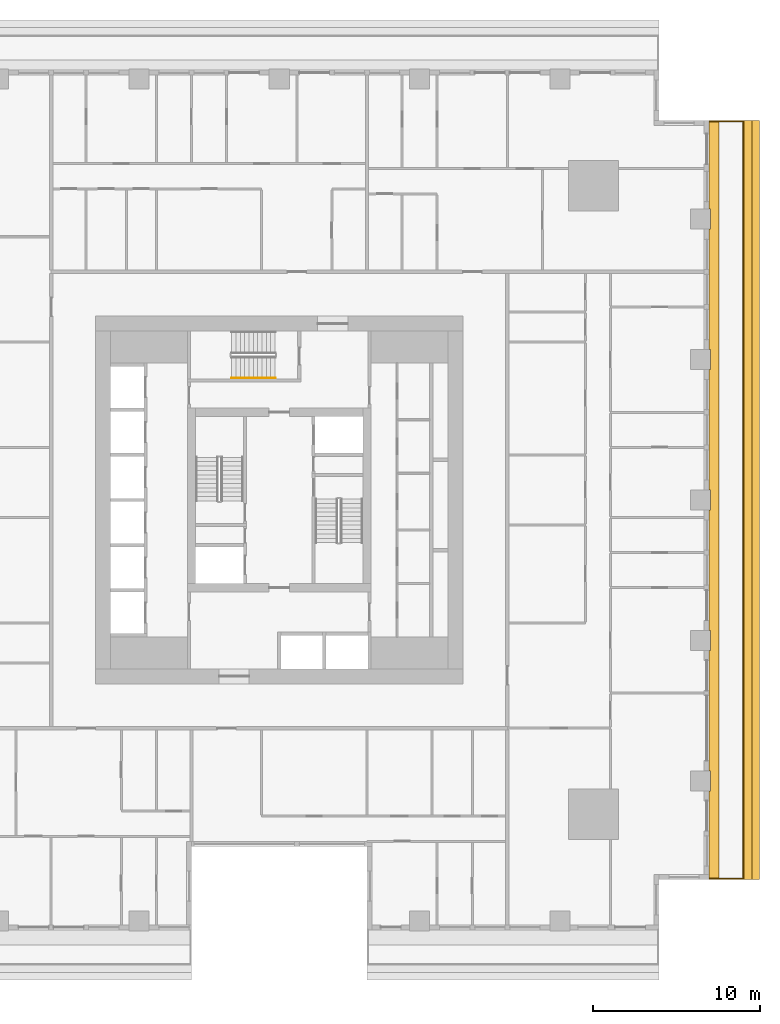
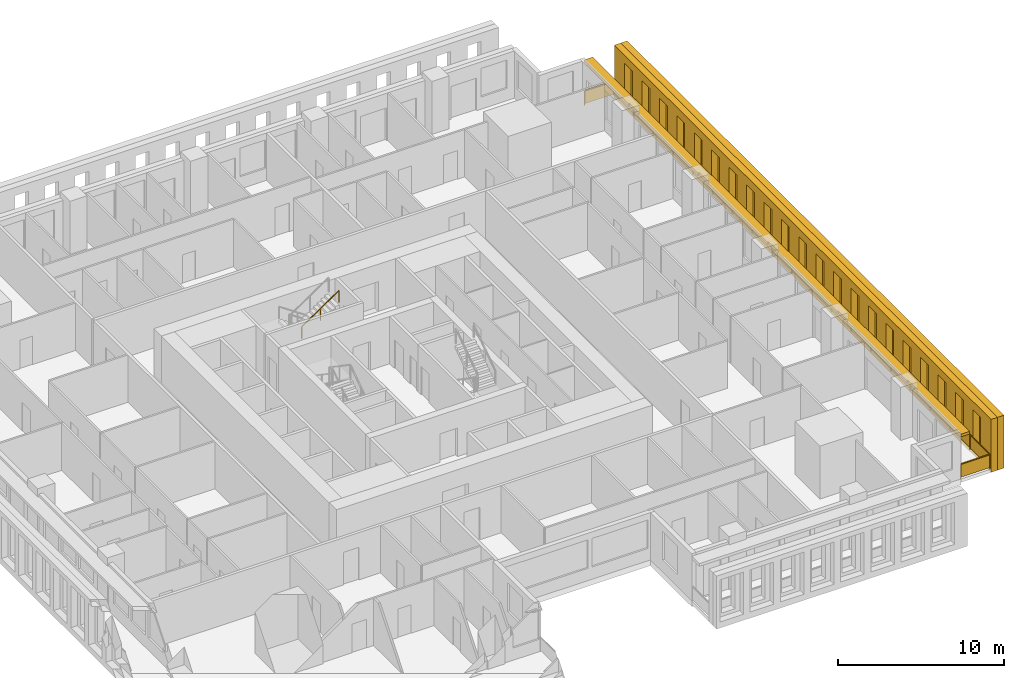
# One storey, part 13 of 15: 3 shading devices, 2 railings.
"""IFC4 building model written with IfcOpenShell, lengths in metres."""

from ifc_helpers import new_model, si_unit, direction, frame, origin, origin_2d, place, context, subcontext, project, spatial, polyline, rectangle, outline, extrude, material, layer, layer_set, type_object, element, save


model = new_model("IFC4")

# Units and contexts
model_context = context("Model", 3, precision=1e-05, world=origin(), true_north=direction((0.0, 1.0)))
body_context = subcontext(model_context, "Body", "Model", "MODEL_VIEW")
ifc_project = project(units=[si_unit("LENGTHUNIT", "METRE"), si_unit("AREAUNIT", "SQUARE_METRE"), si_unit("VOLUMEUNIT", "CUBIC_METRE"), si_unit("PLANEANGLEUNIT", "RADIAN"), si_unit("MASSUNIT", "GRAM", prefix="KILO")], contexts=[model_context])

# Site, building, storey
site_placement = place(None, origin())
site = spatial("IfcSite", under=ifc_project, at=site_placement, CompositionType="ELEMENT")
building_placement = place(site_placement, origin())
building = spatial("IfcBuilding", under=site, at=building_placement, Name="Khepri Terraces", CompositionType="ELEMENT")
storey_placement = place(building_placement, frame((0.0, 0.0, 38.699951171875)))
storey = spatial("IfcBuildingStorey", under=building, at=storey_placement, Name="L08", CompositionType="ELEMENT", Elevation=38.699951171875)

# Railings
ifc_material_1 = material(Name="Stainless steel grade 316", Category="steel")
railing_type_1 = type_object("IfcRailingType", Name="GRD-BAL-1100", PredefinedType="GUARDRAIL", material=ifc_material_1)
railing_1_placement = place(storey_placement, frame((25.719970703125, -22.669921875, 0.0)))
element("IfcRailing", 1, at=railing_1_placement, inside=storey, type_object=railing_type_1, Name="Balcony guard L08 E", PredefinedType="GUARDRAIL", context=body_context, shape_type="SweptSolid", body=[
    extrude(rectangle(XDim=0.050048828125, YDim=0.06005859375, at=origin_2d()), frame((0.0, 0.0, 1.070068359375), z_axis=(1.0, 0.0, 0.0), x_axis=(0.0, 1.0, 0.0)), (0.0, 0.0, 1.0), 2.050048828125),
    extrude(rectangle(XDim=2.0, YDim=0.011962890625, at=origin_2d()), frame((1.02490234375, 0.0, 0.10009765625), z_axis=(0.0, 0.0, 1.0), x_axis=(1.0, 0.0, 0.0)), (0.0, 0.0, 1.0), 0.93994140625),
    extrude(rectangle(XDim=0.050048828125, YDim=0.06005859375, at=origin_2d()), frame((2.050048828125, 0.0, 1.070068359375), z_axis=(0.0, 1.0, 0.0), x_axis=(-1.0, 0.0, 0.0)), (0.0, 0.0, 1.0), 45.33984375),
    extrude(rectangle(XDim=2.336181640625, YDim=0.011962890625, at=origin_2d()), frame((2.050048828125, 1.193115234375, 0.10009765625), z_axis=(0.0, 0.0, 1.0), x_axis=(0.0, 1.0, 0.0)), (0.0, 0.0, 1.0), 0.93994140625),
    extrude(rectangle(XDim=2.336181640625, YDim=0.011962890625, at=origin_2d()), frame((2.050048828125, 3.579345703125, 0.10009765625), z_axis=(0.0, 0.0, 1.0), x_axis=(0.0, 1.0, 0.0)), (0.0, 0.0, 1.0), 0.93994140625),
    extrude(rectangle(XDim=2.336181640625, YDim=0.011962890625, at=origin_2d()), frame((2.050048828125, 5.9658203125, 0.10009765625), z_axis=(0.0, 0.0, 1.0), x_axis=(0.0, 1.0, 0.0)), (0.0, 0.0, 1.0), 0.93994140625),
    extrude(rectangle(XDim=2.336181640625, YDim=0.011962890625, at=origin_2d()), frame((2.050048828125, 8.35205078125, 0.10009765625), z_axis=(0.0, 0.0, 1.0), x_axis=(0.0, 1.0, 0.0)), (0.0, 0.0, 1.0), 0.93994140625),
    extrude(rectangle(XDim=2.336181640625, YDim=0.011962890625, at=origin_2d()), frame((2.050048828125, 10.73828125, 0.10009765625), z_axis=(0.0, 0.0, 1.0), x_axis=(0.0, 1.0, 0.0)), (0.0, 0.0, 1.0), 0.93994140625),
    extrude(rectangle(XDim=2.336181640625, YDim=0.011962890625, at=origin_2d()), frame((2.050048828125, 13.124755859375, 0.10009765625), z_axis=(0.0, 0.0, 1.0), x_axis=(0.0, 1.0, 0.0)), (0.0, 0.0, 1.0), 0.93994140625),
    extrude(rectangle(XDim=2.336181640625, YDim=0.011962890625, at=origin_2d()), frame((2.050048828125, 15.510986328125, 0.10009765625), z_axis=(0.0, 0.0, 1.0), x_axis=(0.0, 1.0, 0.0)), (0.0, 0.0, 1.0), 0.93994140625),
    extrude(rectangle(XDim=2.336181640625, YDim=0.011962890625, at=origin_2d()), frame((2.050048828125, 17.897216796875, 0.10009765625), z_axis=(0.0, 0.0, 1.0), x_axis=(0.0, 1.0, 0.0)), (0.0, 0.0, 1.0), 0.93994140625),
    extrude(rectangle(XDim=2.336181640625, YDim=0.011962890625, at=origin_2d()), frame((2.050048828125, 20.28369140625, 0.10009765625), z_axis=(0.0, 0.0, 1.0), x_axis=(0.0, 1.0, 0.0)), (0.0, 0.0, 1.0), 0.93994140625),
    extrude(rectangle(XDim=2.336181640625, YDim=0.011962890625, at=origin_2d()), frame((2.050048828125, 22.669921875, 0.10009765625), z_axis=(0.0, 0.0, 1.0), x_axis=(0.0, 1.0, 0.0)), (0.0, 0.0, 1.0), 0.93994140625),
    extrude(rectangle(XDim=2.336181640625, YDim=0.011962890625, at=origin_2d()), frame((2.050048828125, 25.05615234375, 0.10009765625), z_axis=(0.0, 0.0, 1.0), x_axis=(0.0, 1.0, 0.0)), (0.0, 0.0, 1.0), 0.93994140625),
    extrude(rectangle(XDim=2.336181640625, YDim=0.011962890625, at=origin_2d()), frame((2.050048828125, 27.442626953125, 0.10009765625), z_axis=(0.0, 0.0, 1.0), x_axis=(0.0, 1.0, 0.0)), (0.0, 0.0, 1.0), 0.93994140625),
    extrude(rectangle(XDim=2.336181640625, YDim=0.011962890625, at=origin_2d()), frame((2.050048828125, 29.828857421875, 0.10009765625), z_axis=(0.0, 0.0, 1.0), x_axis=(0.0, 1.0, 0.0)), (0.0, 0.0, 1.0), 0.93994140625),
    extrude(rectangle(XDim=2.336181640625, YDim=0.011962890625, at=origin_2d()), frame((2.050048828125, 32.215087890625, 0.10009765625), z_axis=(0.0, 0.0, 1.0), x_axis=(0.0, 1.0, 0.0)), (0.0, 0.0, 1.0), 0.93994140625),
    extrude(rectangle(XDim=2.336181640625, YDim=0.011962890625, at=origin_2d()), frame((2.050048828125, 34.6015625, 0.10009765625), z_axis=(0.0, 0.0, 1.0), x_axis=(0.0, 1.0, 0.0)), (0.0, 0.0, 1.0), 0.93994140625),
    extrude(rectangle(XDim=2.336181640625, YDim=0.011962890625, at=origin_2d()), frame((2.050048828125, 36.98779296875, 0.10009765625), z_axis=(0.0, 0.0, 1.0), x_axis=(0.0, 1.0, 0.0)), (0.0, 0.0, 1.0), 0.93994140625),
    extrude(rectangle(XDim=2.336181640625, YDim=0.011962890625, at=origin_2d()), frame((2.050048828125, 39.3740234375, 0.10009765625), z_axis=(0.0, 0.0, 1.0), x_axis=(0.0, 1.0, 0.0)), (0.0, 0.0, 1.0), 0.93994140625),
    extrude(rectangle(XDim=2.336181640625, YDim=0.011962890625, at=origin_2d()), frame((2.050048828125, 41.760498046875, 0.10009765625), z_axis=(0.0, 0.0, 1.0), x_axis=(0.0, 1.0, 0.0)), (0.0, 0.0, 1.0), 0.93994140625),
    extrude(rectangle(XDim=2.336181640625, YDim=0.011962890625, at=origin_2d()), frame((2.050048828125, 44.146728515625, 0.10009765625), z_axis=(0.0, 0.0, 1.0), x_axis=(0.0, 1.0, 0.0)), (0.0, 0.0, 1.0), 0.93994140625),
    extrude(rectangle(XDim=0.050048828125, YDim=0.06005859375, at=origin_2d()), frame((2.050048828125, 45.33984375, 1.070068359375), z_axis=(-1.0, 0.0, 0.0), x_axis=(0.0, -1.0, 0.0)), (0.0, 0.0, 1.0), 2.050048828125),
    extrude(rectangle(XDim=2.0, YDim=0.011962890625, at=origin_2d()), frame((1.02490234375, 45.33984375, 0.10009765625), z_axis=(0.0, 0.0, 1.0), x_axis=(-1.0, 0.0, 0.0)), (0.0, 0.0, 1.0), 0.93994140625),
    extrude(rectangle(XDim=0.050048828125, YDim=0.050048828125, at=origin_2d()), origin(), (0.0, 0.0, 1.0), 1.0400390625),
    extrude(rectangle(XDim=0.050048828125, YDim=0.050048828125, at=origin_2d()), frame((2.050048828125, 0.0, 0.0)), (0.0, 0.0, 1.0), 1.0400390625),
    extrude(rectangle(XDim=0.050048828125, YDim=0.050048828125, at=origin_2d()), frame((2.050048828125, 2.38623046875, 0.0)), (0.0, 0.0, 1.0), 1.0400390625),
    extrude(rectangle(XDim=0.050048828125, YDim=0.050048828125, at=origin_2d()), frame((2.050048828125, 4.772705078125, 0.0)), (0.0, 0.0, 1.0), 1.0400390625),
    extrude(rectangle(XDim=0.050048828125, YDim=0.050048828125, at=origin_2d()), frame((2.050048828125, 7.158935546875, 0.0)), (0.0, 0.0, 1.0), 1.0400390625),
    extrude(rectangle(XDim=0.050048828125, YDim=0.050048828125, at=origin_2d()), frame((2.050048828125, 9.545166015625, 0.0)), (0.0, 0.0, 1.0), 1.0400390625),
    extrude(rectangle(XDim=0.050048828125, YDim=0.050048828125, at=origin_2d()), frame((2.050048828125, 11.931640625, 0.0)), (0.0, 0.0, 1.0), 1.0400390625),
    extrude(rectangle(XDim=0.050048828125, YDim=0.050048828125, at=origin_2d()), frame((2.050048828125, 14.31787109375, 0.0)), (0.0, 0.0, 1.0), 1.0400390625),
    extrude(rectangle(XDim=0.050048828125, YDim=0.050048828125, at=origin_2d()), frame((2.050048828125, 16.7041015625, 0.0)), (0.0, 0.0, 1.0), 1.0400390625),
    extrude(rectangle(XDim=0.050048828125, YDim=0.050048828125, at=origin_2d()), frame((2.050048828125, 19.090576171875, 0.0)), (0.0, 0.0, 1.0), 1.0400390625),
    extrude(rectangle(XDim=0.050048828125, YDim=0.050048828125, at=origin_2d()), frame((2.050048828125, 21.476806640625, 0.0)), (0.0, 0.0, 1.0), 1.0400390625),
    extrude(rectangle(XDim=0.050048828125, YDim=0.050048828125, at=origin_2d()), frame((2.050048828125, 23.863037109375, 0.0)), (0.0, 0.0, 1.0), 1.0400390625),
    extrude(rectangle(XDim=0.050048828125, YDim=0.050048828125, at=origin_2d()), frame((2.050048828125, 26.249267578125, 0.0)), (0.0, 0.0, 1.0), 1.0400390625),
    extrude(rectangle(XDim=0.050048828125, YDim=0.050048828125, at=origin_2d()), frame((2.050048828125, 28.6357421875, 0.0)), (0.0, 0.0, 1.0), 1.0400390625),
    extrude(rectangle(XDim=0.050048828125, YDim=0.050048828125, at=origin_2d()), frame((2.050048828125, 31.02197265625, 0.0)), (0.0, 0.0, 1.0), 1.0400390625),
    extrude(rectangle(XDim=0.050048828125, YDim=0.050048828125, at=origin_2d()), frame((2.050048828125, 33.408203125, 0.0)), (0.0, 0.0, 1.0), 1.0400390625),
    extrude(rectangle(XDim=0.050048828125, YDim=0.050048828125, at=origin_2d()), frame((2.050048828125, 35.794677734375, 0.0)), (0.0, 0.0, 1.0), 1.0400390625),
    extrude(rectangle(XDim=0.050048828125, YDim=0.050048828125, at=origin_2d()), frame((2.050048828125, 38.180908203125, 0.0)), (0.0, 0.0, 1.0), 1.0400390625),
    extrude(rectangle(XDim=0.050048828125, YDim=0.050048828125, at=origin_2d()), frame((2.050048828125, 40.567138671875, 0.0)), (0.0, 0.0, 1.0), 1.0400390625),
    extrude(rectangle(XDim=0.050048828125, YDim=0.050048828125, at=origin_2d()), frame((2.050048828125, 42.95361328125, 0.0)), (0.0, 0.0, 1.0), 1.0400390625),
    extrude(rectangle(XDim=0.050048828125, YDim=0.050048828125, at=origin_2d()), frame((2.050048828125, 45.33984375, 0.0)), (0.0, 0.0, 1.0), 1.0400390625),
    extrude(rectangle(XDim=0.050048828125, YDim=0.050048828125, at=origin_2d()), frame((0.0, 45.33984375, 0.0)), (0.0, 0.0, 1.0), 1.0400390625),
])
ifc_material_2 = material(Name="Stainless steel 316", Category="steel")
railing_type_2 = type_object("IfcRailingType", Name="RL-CORE-HANDRAIL", PredefinedType="HANDRAIL", material=ifc_material_2)
railing_2_placement = place(storey_placement, frame((-2.85009765625, 7.300048828125, 2.12744140625)))
element("IfcRailing", 2, at=railing_2_placement, inside=storey, type_object=railing_type_2, Name="L08 ST-3 stair handrail 2", PredefinedType="HANDRAIL", context=body_context, shape_type="SweptSolid", body=[
    extrude(rectangle(XDim=0.050048828125, YDim=0.050048828125, at=origin_2d()), frame((0.0, 0.0, 0.875), z_axis=(0.826240473404, 0.0, 0.563317565952), x_axis=(0.0, 1.0, 0.0)), (0.0, 0.0, 1.0), 3.14697265625),
    extrude(rectangle(XDim=0.050048828125, YDim=0.050048828125, at=origin_2d()), origin(), (0.0, 0.0, 1.0), 0.849853515625),
    extrude(rectangle(XDim=0.050048828125, YDim=0.050048828125, at=origin_2d()), frame((1.300048828125, 0.0, 0.88623046875)), (0.0, 0.0, 1.0), 0.849853515625),
    extrude(rectangle(XDim=0.050048828125, YDim=0.050048828125, at=origin_2d()), frame((2.60009765625, 0.0, 1.772705078125)), (0.0, 0.0, 1.0), 0.849853515625),
])

# Shading devices
ifc_material_3 = material(Name="Precast concrete C50/60 warm stone", Category="masonry")
shading_device_type_1 = type_object("IfcShadingDeviceType", Name="SCR-CELL-INNER-450", PredefinedType="USERDEFINED", material=ifc_material_3)
shading_device_1_placement = place(storey_placement, frame((27.820068359375, -22.719970703125, -0.25), z_axis=(1.0, 0.0, 0.0), x_axis=(0.0, 1.0, 0.0)))
element("IfcShadingDevice", 3, at=shading_device_1_placement, inside=storey, type_object=shading_device_type_1, Name="Cell screen L08 E in", ObjectType="SCREEN", PredefinedType="USERDEFINED", context=body_context, shape_type="SweptSolid", body=[
    extrude(outline(polyline([(0.0, 0.0), (45.43994140625, 0.0), (45.43994140625, 3.89990234375), (0.0, 3.89990234375), (0.0, 0.0)]), holes=[polyline([(1.24755859375, 0.699951171875), (2.1923828125, 0.699951171875), (2.1923828125, 3.300048828125), (1.24755859375, 3.300048828125), (1.24755859375, 0.699951171875)]), polyline([(3.347412109375, 0.699951171875), (4.29248046875, 0.699951171875), (4.29248046875, 3.300048828125), (3.347412109375, 3.300048828125), (3.347412109375, 0.699951171875)]), polyline([(5.447509765625, 0.699951171875), (6.392578125, 0.699951171875), (6.392578125, 3.300048828125), (5.447509765625, 3.300048828125), (5.447509765625, 0.699951171875)]), polyline([(7.547607421875, 0.699951171875), (8.492431640625, 0.699951171875), (8.492431640625, 3.300048828125), (7.547607421875, 3.300048828125), (7.547607421875, 0.699951171875)]), polyline([(9.6474609375, 0.699951171875), (10.592529296875, 0.699951171875), (10.592529296875, 3.300048828125), (9.6474609375, 3.300048828125), (9.6474609375, 0.699951171875)]), polyline([(11.74755859375, 0.699951171875), (12.6923828125, 0.699951171875), (12.6923828125, 3.300048828125), (11.74755859375, 3.300048828125), (11.74755859375, 0.699951171875)]), polyline([(13.847412109375, 0.699951171875), (14.79248046875, 0.699951171875), (14.79248046875, 3.300048828125), (13.847412109375, 3.300048828125), (13.847412109375, 0.699951171875)]), polyline([(15.947509765625, 0.699951171875), (16.892578125, 0.699951171875), (16.892578125, 3.300048828125), (15.947509765625, 3.300048828125), (15.947509765625, 0.699951171875)]), polyline([(18.047607421875, 0.699951171875), (18.992431640625, 0.699951171875), (18.992431640625, 3.300048828125), (18.047607421875, 3.300048828125), (18.047607421875, 0.699951171875)]), polyline([(20.1474609375, 0.699951171875), (21.092529296875, 0.699951171875), (21.092529296875, 3.300048828125), (20.1474609375, 3.300048828125), (20.1474609375, 0.699951171875)]), polyline([(22.24755859375, 0.699951171875), (23.1923828125, 0.699951171875), (23.1923828125, 3.300048828125), (22.24755859375, 3.300048828125), (22.24755859375, 0.699951171875)]), polyline([(24.347412109375, 0.699951171875), (25.29248046875, 0.699951171875), (25.29248046875, 3.300048828125), (24.347412109375, 3.300048828125), (24.347412109375, 0.699951171875)]), polyline([(26.447509765625, 0.699951171875), (27.392578125, 0.699951171875), (27.392578125, 3.300048828125), (26.447509765625, 3.300048828125), (26.447509765625, 0.699951171875)]), polyline([(28.547607421875, 0.699951171875), (29.492431640625, 0.699951171875), (29.492431640625, 3.300048828125), (28.547607421875, 3.300048828125), (28.547607421875, 0.699951171875)]), polyline([(30.6474609375, 0.699951171875), (31.592529296875, 0.699951171875), (31.592529296875, 3.300048828125), (30.6474609375, 3.300048828125), (30.6474609375, 0.699951171875)]), polyline([(32.74755859375, 0.699951171875), (33.6923828125, 0.699951171875), (33.6923828125, 3.300048828125), (32.74755859375, 3.300048828125), (32.74755859375, 0.699951171875)]), polyline([(34.847412109375, 0.699951171875), (35.79248046875, 0.699951171875), (35.79248046875, 3.300048828125), (34.847412109375, 3.300048828125), (34.847412109375, 0.699951171875)]), polyline([(36.947509765625, 0.699951171875), (37.892578125, 0.699951171875), (37.892578125, 3.300048828125), (36.947509765625, 3.300048828125), (36.947509765625, 0.699951171875)]), polyline([(39.047607421875, 0.699951171875), (39.992431640625, 0.699951171875), (39.992431640625, 3.300048828125), (39.047607421875, 3.300048828125), (39.047607421875, 0.699951171875)]), polyline([(41.1474609375, 0.699951171875), (42.092529296875, 0.699951171875), (42.092529296875, 3.300048828125), (41.1474609375, 3.300048828125), (41.1474609375, 0.699951171875)]), polyline([(43.24755859375, 0.699951171875), (44.1923828125, 0.699951171875), (44.1923828125, 3.300048828125), (43.24755859375, 3.300048828125), (43.24755859375, 0.699951171875)])]), origin(), (0.0, 0.0, 1.0), 0.449951171875),
])
shading_device_type_2 = type_object("IfcShadingDeviceType", Name="SCR-CELL-OUTER-450", PredefinedType="USERDEFINED", material=ifc_material_3)
shading_device_2_placement = place(storey_placement, frame((28.27001953125, -22.719970703125, -0.25), z_axis=(1.0, 0.0, 0.0), x_axis=(0.0, 1.0, 0.0)))
element("IfcShadingDevice", 4, at=shading_device_2_placement, inside=storey, type_object=shading_device_type_2, Name="Cell screen L08 E out", ObjectType="SCREEN", PredefinedType="USERDEFINED", context=body_context, shape_type="SweptSolid", body=[
    extrude(outline(polyline([(0.0, 0.0), (45.43994140625, 0.0), (45.43994140625, 3.89990234375), (0.0, 3.89990234375), (0.0, 0.0)]), holes=[polyline([(0.8974609375, 0.449951171875), (2.54248046875, 0.449951171875), (2.54248046875, 3.550048828125), (0.8974609375, 3.550048828125), (0.8974609375, 0.449951171875)]), polyline([(2.99755859375, 0.449951171875), (4.642578125, 0.449951171875), (4.642578125, 3.550048828125), (2.99755859375, 3.550048828125), (2.99755859375, 0.449951171875)]), polyline([(5.097412109375, 0.449951171875), (6.742431640625, 0.449951171875), (6.742431640625, 3.550048828125), (5.097412109375, 3.550048828125), (5.097412109375, 0.449951171875)]), polyline([(7.197509765625, 0.449951171875), (8.842529296875, 0.449951171875), (8.842529296875, 3.550048828125), (7.197509765625, 3.550048828125), (7.197509765625, 0.449951171875)]), polyline([(9.297607421875, 0.449951171875), (10.9423828125, 0.449951171875), (10.9423828125, 3.550048828125), (9.297607421875, 3.550048828125), (9.297607421875, 0.449951171875)]), polyline([(11.3974609375, 0.449951171875), (13.04248046875, 0.449951171875), (13.04248046875, 3.550048828125), (11.3974609375, 3.550048828125), (11.3974609375, 0.449951171875)]), polyline([(13.49755859375, 0.449951171875), (15.142578125, 0.449951171875), (15.142578125, 3.550048828125), (13.49755859375, 3.550048828125), (13.49755859375, 0.449951171875)]), polyline([(15.597412109375, 0.449951171875), (17.242431640625, 0.449951171875), (17.242431640625, 3.550048828125), (15.597412109375, 3.550048828125), (15.597412109375, 0.449951171875)]), polyline([(17.697509765625, 0.449951171875), (19.342529296875, 0.449951171875), (19.342529296875, 3.550048828125), (17.697509765625, 3.550048828125), (17.697509765625, 0.449951171875)]), polyline([(19.797607421875, 0.449951171875), (21.4423828125, 0.449951171875), (21.4423828125, 3.550048828125), (19.797607421875, 3.550048828125), (19.797607421875, 0.449951171875)]), polyline([(21.8974609375, 0.449951171875), (23.54248046875, 0.449951171875), (23.54248046875, 3.550048828125), (21.8974609375, 3.550048828125), (21.8974609375, 0.449951171875)]), polyline([(23.99755859375, 0.449951171875), (25.642578125, 0.449951171875), (25.642578125, 3.550048828125), (23.99755859375, 3.550048828125), (23.99755859375, 0.449951171875)]), polyline([(26.097412109375, 0.449951171875), (27.742431640625, 0.449951171875), (27.742431640625, 3.550048828125), (26.097412109375, 3.550048828125), (26.097412109375, 0.449951171875)]), polyline([(28.197509765625, 0.449951171875), (29.842529296875, 0.449951171875), (29.842529296875, 3.550048828125), (28.197509765625, 3.550048828125), (28.197509765625, 0.449951171875)]), polyline([(30.297607421875, 0.449951171875), (31.9423828125, 0.449951171875), (31.9423828125, 3.550048828125), (30.297607421875, 3.550048828125), (30.297607421875, 0.449951171875)]), polyline([(32.3974609375, 0.449951171875), (34.04248046875, 0.449951171875), (34.04248046875, 3.550048828125), (32.3974609375, 3.550048828125), (32.3974609375, 0.449951171875)]), polyline([(34.49755859375, 0.449951171875), (36.142578125, 0.449951171875), (36.142578125, 3.550048828125), (34.49755859375, 3.550048828125), (34.49755859375, 0.449951171875)]), polyline([(36.597412109375, 0.449951171875), (38.242431640625, 0.449951171875), (38.242431640625, 3.550048828125), (36.597412109375, 3.550048828125), (36.597412109375, 0.449951171875)]), polyline([(38.697509765625, 0.449951171875), (40.342529296875, 0.449951171875), (40.342529296875, 3.550048828125), (38.697509765625, 3.550048828125), (38.697509765625, 0.449951171875)]), polyline([(40.797607421875, 0.449951171875), (42.4423828125, 0.449951171875), (42.4423828125, 3.550048828125), (40.797607421875, 3.550048828125), (40.797607421875, 0.449951171875)]), polyline([(42.8974609375, 0.449951171875), (44.54248046875, 0.449951171875), (44.54248046875, 3.550048828125), (42.8974609375, 3.550048828125), (42.8974609375, 0.449951171875)])]), origin(), (0.0, 0.0, 1.0), 0.449951171875),
])
ifc_layer = layer(ifc_material_3, 0.199951171875, Name="Precast concrete C50/60 warm stone", Category="masonry")
ifc_layer_set = layer_set([ifc_layer], Name="Precast concrete C50/60 warm stone")
shading_device_type_3 = type_object("IfcShadingDeviceType", Name="SSH-BAND-STONE-200-N", PredefinedType="USERDEFINED", material=ifc_layer_set)
shading_device_3_placement = place(storey_placement, frame((0.0, 0.0, 3.10009765625)))
element("IfcShadingDevice", 5, at=shading_device_3_placement, inside=storey, type_object=shading_device_type_3, Name="Sunshade band L08 E", ObjectType="SUNSHADE", PredefinedType="USERDEFINED", context=body_context, shape_type="SweptSolid", body=[
    extrude(outline(polyline([(25.719970703125, -17.39990234375), (25.719970703125, -22.719970703125), (26.320068359375, -22.719970703125), (26.320068359375, 22.719970703125), (25.719970703125, 22.719970703125), (25.719970703125, 17.39990234375), (25.800048828125, 17.39990234375), (25.800048828125, 16.199951171875), (25.719970703125, 16.199951171875), (25.719970703125, 9.0), (25.800048828125, 9.0), (25.800048828125, 7.800048828125), (25.719970703125, 7.800048828125), (25.719970703125, 0.60009765625), (25.800048828125, 0.60009765625), (25.800048828125, -0.60009765625), (25.719970703125, -0.60009765625), (25.719970703125, -7.800048828125), (25.800048828125, -7.800048828125), (25.800048828125, -9.0), (25.719970703125, -9.0), (25.719970703125, -16.199951171875), (25.800048828125, -16.199951171875), (25.800048828125, -17.39990234375), (25.719970703125, -17.39990234375)])), origin(), (0.0, 0.0, 1.0), 0.199951171875),
])

save(model, "model.ifc")
